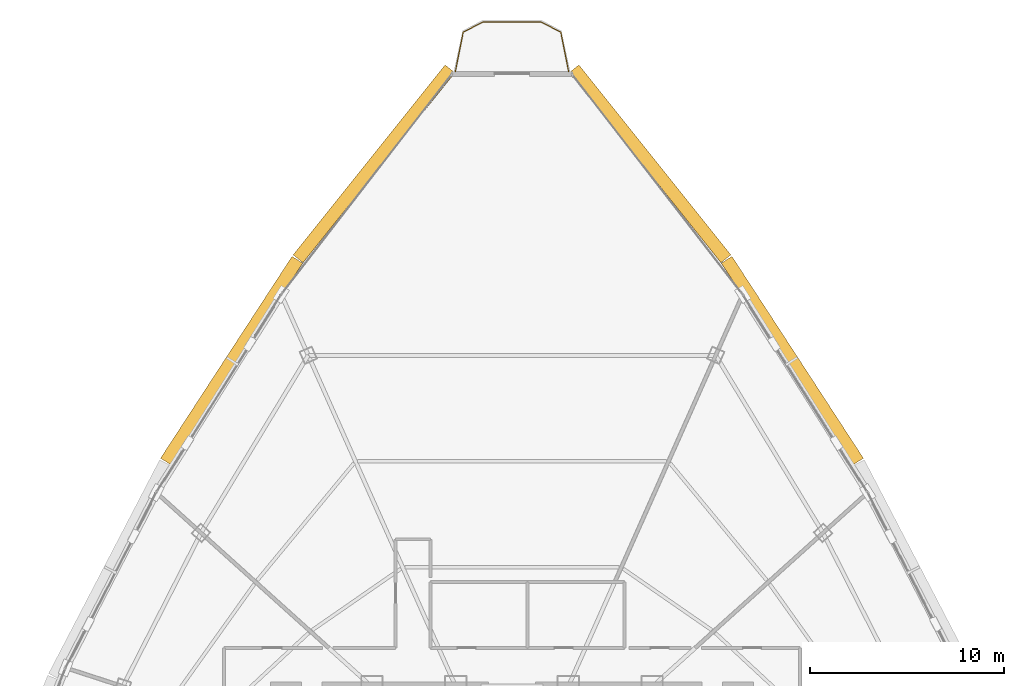
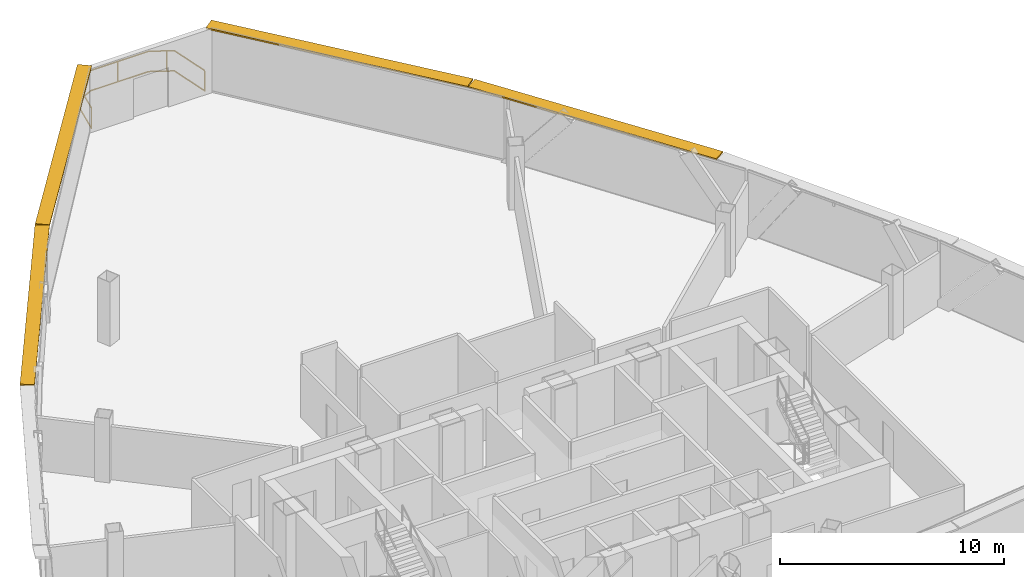
# One storey, part 28 of 28: 4 shading devices, 1 railing.
"""IFC4 building model written with IfcOpenShell, lengths in metres."""

from ifc_helpers import new_model, si_unit, direction, frame, origin, origin_2d, place, context, subcontext, project, spatial, rectangle, extrude, source, transform, mapped, material, layer, layer_set, type_object, element, save


model = new_model("IFC4")

# Units and contexts
model_context = context("Model", 3, precision=1e-05, world=origin(), true_north=direction((0.0, 1.0)))
body_context = subcontext(model_context, "Body", "Model", "MODEL_VIEW")
ifc_project = project(units=[si_unit("LENGTHUNIT", "METRE"), si_unit("AREAUNIT", "SQUARE_METRE"), si_unit("VOLUMEUNIT", "CUBIC_METRE"), si_unit("PLANEANGLEUNIT", "RADIAN"), si_unit("MASSUNIT", "GRAM", prefix="KILO"), si_unit("THERMODYNAMICTEMPERATUREUNIT", "KELVIN"), si_unit("POWERUNIT", "WATT")], contexts=[model_context])

# Site, building, storey
site_placement = place(None, origin())
site = spatial("IfcSite", under=ifc_project, at=site_placement, CompositionType="ELEMENT")
building_placement = place(site_placement, origin())
building = spatial("IfcBuilding", under=site, at=building_placement, Name="Yunzhuo Pagoda Commons", CompositionType="ELEMENT")
storey_placement = place(building_placement, frame((0.0, 0.0, 336.760009765625)))
storey = spatial("IfcBuildingStorey", under=building, at=storey_placement, Name="L84", CompositionType="ELEMENT", Elevation=336.760009765625)

# Railing
ifc_material = material(Name="Anodized aluminium 6063-T6", Category="aluminium")
railing_type = type_object("IfcRailingType", Name="RL-BAL1 Exterior Terrace & Balcony Balustrade 1150", PredefinedType="BALUSTRADE", material=ifc_material)
railing_placement = place(storey_placement, frame((50.91650390625, 71.9111328125, 0.0)))
element("IfcRailing", 1, at=railing_placement, inside=storey, type_object=railing_type, Name="L84 corner balcony balustrade V3", PredefinedType="BALUSTRADE", context=body_context, shape_type="SweptSolid", body=[
    extrude(rectangle(XDim=0.048095703125, YDim=0.048095703125, at=origin_2d()), frame((0.0, 0.0, 1.1259765625), z_axis=(-0.194314652384, 0.980939251875, 0.0), x_axis=(-0.980939251875, -0.194314652384, 0.0)), (0.0, 0.0, 1.0), 2.059326171875),
    extrude(rectangle(XDim=0.048095703125, YDim=0.048095703125, at=origin_2d()), frame((0.0, 0.0, 0.02392578125), z_axis=(-0.194314652384, 0.980939251875, 0.0), x_axis=(-0.980939251875, -0.194314652384, 0.0)), (0.0, 0.0, 1.0), 2.059326171875),
    extrude(rectangle(XDim=0.048095703125, YDim=0.048095703125, at=origin_2d()), frame((-0.400146484375, 2.02001953125, 1.1259765625), z_axis=(-0.886990324349, 0.461788008193, 0.0), x_axis=(-0.461788008193, -0.886990324349, 0.0)), (0.0, 0.0, 1.0), 1.147705078125),
    extrude(rectangle(XDim=0.048095703125, YDim=0.048095703125, at=origin_2d()), frame((-0.400146484375, 2.02001953125, 0.02392578125), z_axis=(-0.886990324349, 0.461788008193, 0.0), x_axis=(-0.461788008193, -0.886990324349, 0.0)), (0.0, 0.0, 1.0), 1.147705078125),
    extrude(rectangle(XDim=0.048095703125, YDim=0.048095703125, at=origin_2d()), frame((-1.418212890625, 2.550048828125, 1.1259765625), z_axis=(-1.0, 0.0, 0.0), x_axis=(0.0, -1.0, 0.0)), (0.0, 0.0, 1.0), 2.99658203125),
    extrude(rectangle(XDim=0.048095703125, YDim=0.048095703125, at=origin_2d()), frame((-1.418212890625, 2.550048828125, 0.02392578125), z_axis=(-1.0, 0.0, 0.0), x_axis=(0.0, -1.0, 0.0)), (0.0, 0.0, 1.0), 2.99658203125),
    extrude(rectangle(XDim=0.048095703125, YDim=0.048095703125, at=origin_2d()), frame((-4.414794921875, 2.550048828125, 1.1259765625), z_axis=(-0.886990324349, -0.461788008193, 0.0), x_axis=(0.461788008193, -0.886990324349, 0.0)), (0.0, 0.0, 1.0), 1.147705078125),
    extrude(rectangle(XDim=0.048095703125, YDim=0.048095703125, at=origin_2d()), frame((-4.414794921875, 2.550048828125, 0.02392578125), z_axis=(-0.886990324349, -0.461788008193, 0.0), x_axis=(0.461788008193, -0.886990324349, 0.0)), (0.0, 0.0, 1.0), 1.147705078125),
    extrude(rectangle(XDim=0.048095703125, YDim=0.048095703125, at=origin_2d()), frame((-5.432861328125, 2.02001953125, 1.1259765625), z_axis=(-0.194314652384, -0.980939251875, 0.0), x_axis=(0.980939251875, -0.194314652384, 0.0)), (0.0, 0.0, 1.0), 2.059326171875),
    extrude(rectangle(XDim=0.048095703125, YDim=0.048095703125, at=origin_2d()), frame((-5.432861328125, 2.02001953125, 0.02392578125), z_axis=(-0.194314652384, -0.980939251875, 0.0), x_axis=(0.980939251875, -0.194314652384, 0.0)), (0.0, 0.0, 1.0), 2.059326171875),
    extrude(rectangle(XDim=0.0419921875, YDim=0.0419921875, at=origin_2d()), origin(), (0.0, 0.0, 1.0), 1.101806640625),
    extrude(rectangle(XDim=0.0419921875, YDim=0.0419921875, at=origin_2d()), frame((-0.702392578125, 2.17724609375, 0.0)), (0.0, 0.0, 1.0), 1.101806640625),
    extrude(rectangle(XDim=0.0419921875, YDim=0.0419921875, at=origin_2d()), frame((-3.01123046875, 2.550048828125, 0.0)), (0.0, 0.0, 1.0), 1.101806640625),
    extrude(rectangle(XDim=0.0419921875, YDim=0.0419921875, at=origin_2d()), frame((-5.298583984375, 2.08984375, 0.0)), (0.0, 0.0, 1.0), 1.101806640625),
    extrude(rectangle(XDim=0.0419921875, YDim=0.0419921875, at=origin_2d()), frame((-5.8330078125, 0.0, 0.0)), (0.0, 0.0, 1.0), 1.101806640625),
])

# Shading devices
ifc_layer = layer(ifc_material, 0.080078125)
ifc_layer_set = layer_set([ifc_layer], Name="Anodized aluminium 6063-T6")
shading_device_type = type_object("IfcShadingDeviceType", Name="SH-SUN1 Pagoda Horizontal Sunshade Eave 650", PredefinedType="USERDEFINED", material=ifc_layer_set)
shared_shape_1 = source(origin(), body_context, "Body", "SweptSolid", [
    extrude(rectangle(XDim=12.415283203125, YDim=0.64990234375, at=origin_2d()), origin(), (0.0, 0.0, 1.0), 0.080078125),
])
for number, where, z_axis, x_axis, name in (
    (2, (62.449951171875, 57.003173828125, 3.409912109375), (0.0, 0.0, 1.0), (-0.545853380833, 0.837880711458, 0.0), "L84 horizontal pagoda sunshade eave F2.3"),
    (3, (33.550048828125, 57.003173828125, 3.409912109375), (0.0, 0.0, 1.0), (-0.545853380833, -0.837880711458, 0.0), "L84 horizontal pagoda sunshade eave F3.2"),
):
    element("IfcShadingDevice", number, at=place(storey_placement, frame(where, z_axis=z_axis, x_axis=x_axis)), inside=storey, type_object=shading_device_type, Name=name, ObjectType="SUNSHADE", PredefinedType="USERDEFINED", context=body_context, shape_type="MappedRepresentation", body=[
        mapped(shared_shape_1, transform((0.0, 0.0, 0.0), scale=1.0)),
    ])
shared_shape_2 = source(origin(), body_context, "Body", "SweptSolid", [
    extrude(rectangle(XDim=12.53466796875, YDim=0.64990234375, at=origin_2d()), origin(), (0.0, 0.0, 1.0), 0.080078125),
])
for number, where, z_axis, x_axis, name in (
    (4, (55.1103515625, 67.150634765625, 3.409912109375), (0.0, 0.0, 1.0), (-0.624520471688, 0.781008438138, 0.0), "L84 horizontal pagoda sunshade eave F2.4"),
    (5, (40.8896484375, 67.150634765625, 3.409912109375), (0.0, 0.0, 1.0), (-0.624520471688, -0.781008438138, 0.0), "L84 horizontal pagoda sunshade eave F3.1"),
):
    element("IfcShadingDevice", number, at=place(storey_placement, frame(where, z_axis=z_axis, x_axis=x_axis)), inside=storey, type_object=shading_device_type, Name=name, ObjectType="SUNSHADE", PredefinedType="USERDEFINED", context=body_context, shape_type="MappedRepresentation", body=[
        mapped(shared_shape_2, transform((0.0, 0.0, 0.0), scale=1.0)),
    ])

save(model, "model.ifc")
